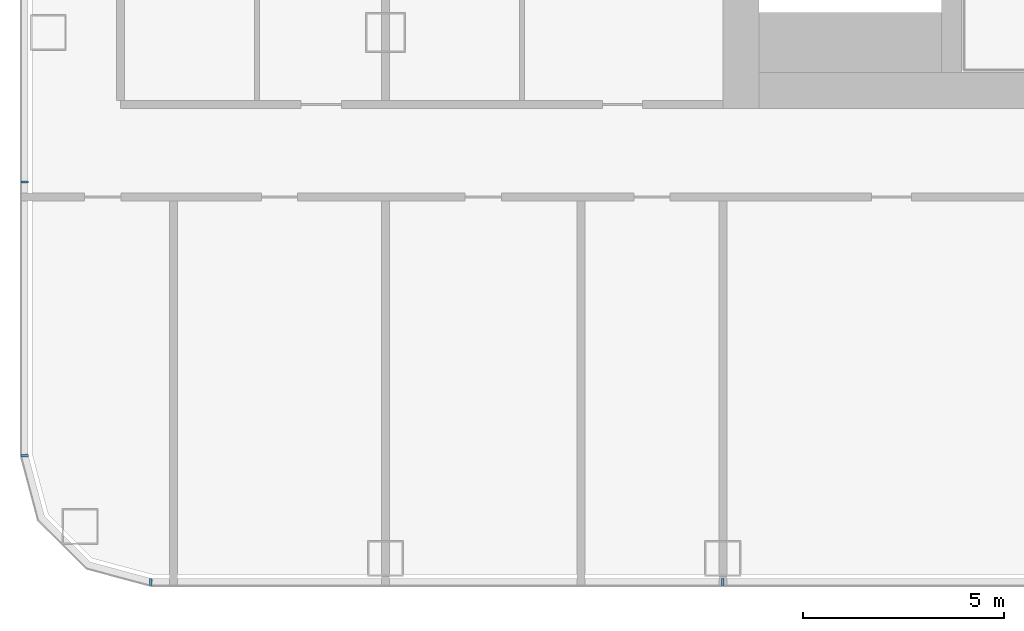
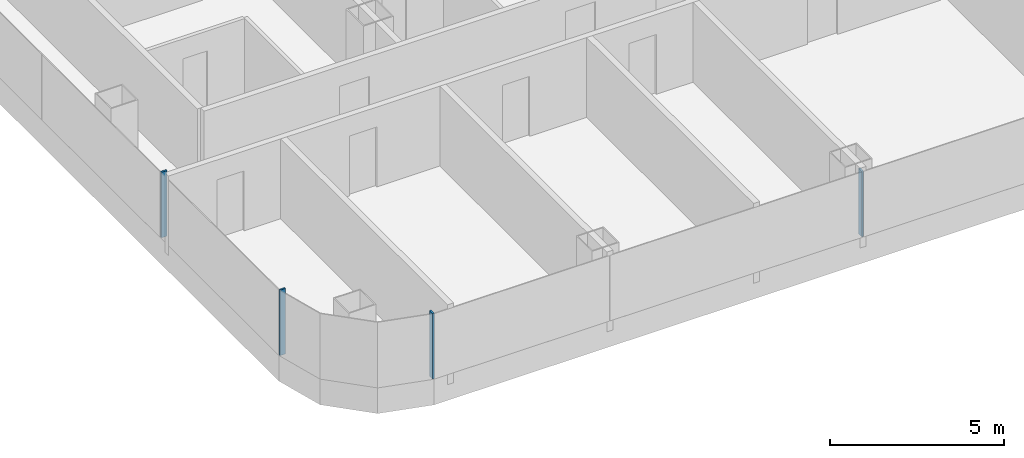
# One storey, part 2 of 28: 4 members, 2 elements without a shape of their own.
"""IFC4 building model written with IfcOpenShell, lengths in metres."""

import ifcopenshell
import ifcopenshell.guid

model = None  # the IFC model being written
_history = None  # IfcOwnerHistory: only IFC2X3 demands one
_inside = {}  # id of a spatial element -> (the spatial element, [elements in it])
_under = {}  # id of a project, library or spatial element -> (it, [spatial elements below it])
_declared = {}  # id of a project -> (the project, [libraries it declares])
_typed = {}  # id of a type object -> (the type object, [elements of that type])
_made_of = {}  # id of a material, layer set ... -> (it, [elements and type objects made of it])


def new_model(schema):
    """Start an empty IFC model of exactly this schema.

    Asked for "IFC4X3", IfcOpenShell would pick the latest addendum, in which some entities
    have other attributes; the version numbers below select the first issue.
    IFC2X3 requires an IfcOwnerHistory on every rooted entity: one is made here for all.
    """
    global model, _history
    if schema == "IFC4X3":
        model = ifcopenshell.file(schema_version=(4, 3, 0, 0))
    else:
        model = ifcopenshell.file(schema=schema)
    _inside.clear()
    _under.clear()
    _declared.clear()
    _typed.clear()
    _made_of.clear()
    _history = None
    if model.schema == "IFC2X3":
        org = make("IfcOrganization", Name="unknown")
        user = make(
            "IfcPersonAndOrganization",
            ThePerson=make("IfcPerson", FamilyName="unknown"),
            TheOrganization=org,
        )
        app = make(
            "IfcApplication",
            ApplicationDeveloper=org,
            Version="unknown",
            ApplicationFullName="unknown",
            ApplicationIdentifier="unknown",
        )
        _history = make(
            "IfcOwnerHistory",
            OwningUser=user,
            OwningApplication=app,
            ChangeAction="ADDED",
            CreationDate=0,
        )
    return model


def make(cls, **values):
    """One entity of the class cls with the attributes given. An attribute that is None is left unset."""
    return model.create_entity(
        cls, **{name: value for name, value in values.items() if value is not None}
    )


def rooted(cls, **values):
    """An entity with a GlobalId (a new one), such as an element, a storey or a relation."""
    return make(cls, GlobalId=ifcopenshell.guid.new(), OwnerHistory=_history, **values)


def si_unit(unit_type, name, prefix=None):
    """IfcSIUnit, for example si_unit("LENGTHUNIT", "METRE", prefix="MILLI")."""
    return make("IfcSIUnit", UnitType=unit_type, Prefix=prefix, Name=name)


def assignment(units):
    """IfcUnitAssignment: the units of a project."""
    return None if units is None else make("IfcUnitAssignment", Units=units)


def point(xyz):
    """IfcCartesianPoint."""
    return None if xyz is None else make("IfcCartesianPoint", Coordinates=xyz)


def direction(xyz):
    """IfcDirection."""
    return None if xyz is None else make("IfcDirection", DirectionRatios=xyz)


def frame(location, z_axis=None, x_axis=None):
    """IfcAxis2Placement3D, a coordinate frame: its origin and axes. An axis left out is left unset."""
    return make(
        "IfcAxis2Placement3D",
        Location=point(location),
        Axis=direction(z_axis),
        RefDirection=direction(x_axis),
    )


def frame_2d(location, x_axis=None):
    """IfcAxis2Placement2D, a coordinate frame in the plane: its origin and x axis."""
    return make(
        "IfcAxis2Placement2D", Location=point(location), RefDirection=direction(x_axis)
    )


def origin():
    """The frame at (0, 0, 0) with its axes left unset."""
    return frame((0.0, 0.0, 0.0))


def origin_2d():
    """The frame at (0, 0) in the plane with its x axis left unset."""
    return frame_2d((0.0, 0.0))


def place(relative_to, where):
    """IfcLocalPlacement: puts the frame where relative to a parent placement (None: the world)."""
    return make(
        "IfcLocalPlacement", PlacementRelTo=relative_to, RelativePlacement=where
    )


def context(
    kind, dimensions, precision=None, world=None, true_north=None, identifier=None
):
    """IfcGeometricRepresentationContext, for example the 3D "Model" context."""
    return make(
        "IfcGeometricRepresentationContext",
        ContextIdentifier=identifier,
        ContextType=kind,
        CoordinateSpaceDimension=dimensions,
        Precision=precision,
        WorldCoordinateSystem=world,
        TrueNorth=true_north,
    )


def subcontext(parent, identifier, kind, view, scale=None):
    """IfcGeometricRepresentationSubContext, for example "Body" below "Model"."""
    return make(
        "IfcGeometricRepresentationSubContext",
        ContextIdentifier=identifier,
        ContextType=kind,
        ParentContext=parent,
        TargetScale=scale,
        TargetView=view,
    )


def project(units=None, contexts=None):
    """IfcProject with its units and contexts."""
    return rooted(
        "IfcProject",
        Name="project",
        RepresentationContexts=contexts,
        UnitsInContext=assignment(units),
    )


def spatial(cls, under=None, at=None, **own):
    """A site, building, storey or space (cls), placed at a placement, below another one or the project."""
    s = rooted(cls, ObjectPlacement=at, **own)
    if under is not None:
        _under.setdefault(under.id(), (under, []))[1].append(s)
    return s


def profile(cls, at=None, kind="AREA", **sizes):
    """A parametric profile (cls). Its sizes go by their IFC names, for example OverallWidth=200.0."""
    return make(cls, ProfileType=kind, Position=at, **sizes)


def rectangle(**sizes):
    """IfcRectangleProfileDef."""
    return profile("IfcRectangleProfileDef", **sizes)


def extrude(swept, where, along, depth):
    """IfcExtrudedAreaSolid: the profile swept, set in the frame where, extruded along a direction by depth."""
    return make(
        "IfcExtrudedAreaSolid",
        SweptArea=swept,
        Position=where,
        ExtrudedDirection=direction(along),
        Depth=depth,
    )


def shape(context_of_items, identifier, shape_type, items):
    """IfcShapeRepresentation: the items that make up one representation, for example the "Body"."""
    return make(
        "IfcShapeRepresentation",
        ContextOfItems=context_of_items,
        RepresentationIdentifier=identifier,
        RepresentationType=shape_type,
        Items=items,
    )


def material(Name=None, Category=None):
    """IfcMaterial."""
    return make("IfcMaterial", Name=Name, Category=Category)


def layer(
    of_material, thickness, ventilated=None, Name=None, Category=None, Priority=None
):
    """IfcMaterialLayer: one layer of a wall or slab, of a material (None: an air gap)."""
    return make(
        "IfcMaterialLayer",
        Material=of_material,
        LayerThickness=thickness,
        IsVentilated=ventilated,
        Name=Name,
        Category=Category,
        Priority=Priority,
    )


def layer_set(layers, Name=None):
    """IfcMaterialLayerSet."""
    return make("IfcMaterialLayerSet", MaterialLayers=layers, LayerSetName=Name)


def material_profile(
    of_material, cross_section, Name=None, Category=None, Priority=None
):
    """IfcMaterialProfile: a cross section and its material."""
    return make(
        "IfcMaterialProfile",
        Name=Name,
        Material=of_material,
        Profile=cross_section,
        Priority=Priority,
        Category=Category,
    )


def profile_set(profiles, Name=None, composite=None):
    """IfcMaterialProfileSet."""
    return make(
        "IfcMaterialProfileSet",
        Name=Name,
        MaterialProfiles=profiles,
        CompositeProfile=composite,
    )


def made_of(thing, what):
    """Note that an element or type object is made of a material, layer set ...; save() writes the relation."""
    if what is not None:
        _made_of.setdefault(what.id(), (what, []))[1].append(thing)
    return thing


def type_object(cls, material=None, **own):
    """A type object (cls), such as IfcWallType, which elements share."""
    return made_of(rooted(cls, **own), material)


def element(
    cls,
    number,
    at=None,
    inside=None,
    cuts=None,
    type_object=None,
    material=None,
    context=None,
    identifier="Body",
    shape_type=None,
    held_by="IfcProductDefinitionShape",
    body=None,
    shapes=None,
    **own,
):
    """One element of the class cls, such as IfcWall. Its Tag is "e" and its number.

    at: its placement. inside: the storey or other place that contains it. cuts: it is an
    opening in that element (IfcRelVoidsElement). A single representation is given by context,
    identifier, shape_type and body (its items); several are given by shapes. held_by: the class
    of the entity that holds the representations. save() writes the other relations.
    """
    e = rooted(cls, Tag="e%d" % number, ObjectPlacement=at, **own)
    if body is not None:
        shapes = [shape(context, identifier, shape_type, body)]
    if shapes is not None:
        e.Representation = make(held_by, Representations=shapes)
    if inside is not None:
        _inside.setdefault(inside.id(), (inside, []))[1].append(e)
    if cuts is not None:
        rooted(
            "IfcRelVoidsElement", RelatingBuildingElement=cuts, RelatedOpeningElement=e
        )
    if type_object is not None:
        _typed.setdefault(type_object.id(), (type_object, []))[1].append(e)
    return made_of(e, material)


def aggregate(whole, parts):
    """IfcRelAggregates: a whole, such as a stair, and the parts it consists of."""
    return rooted("IfcRelAggregates", RelatingObject=whole, RelatedObjects=parts)


def save(model, path):
    """Write the relations noted so far, then the file.

    IfcRelAggregates (storeys below a building ...), IfcRelContainedInSpatialStructure (elements
    in a storey), IfcRelDefinesByType, IfcRelAssociatesMaterial and IfcRelDeclares: one each for
    every whole, place, type object, material and project.
    """
    for whole, parts in _under.values():
        aggregate(whole, parts)
    for where, things in _inside.values():
        rooted(
            "IfcRelContainedInSpatialStructure",
            RelatedElements=things,
            RelatingStructure=where,
        )
    for kind, things in _typed.values():
        rooted("IfcRelDefinesByType", RelatedObjects=things, RelatingType=kind)
    for what, things in _made_of.values():
        rooted("IfcRelAssociatesMaterial", RelatedObjects=things, RelatingMaterial=what)
    for by, libraries in _declared.values():
        rooted("IfcRelDeclares", RelatingContext=by, RelatedDefinitions=libraries)
    model.write(path)


model = new_model("IFC4")

# Units and contexts
model_context = context("Model", 3, precision=1e-05, world=origin(), true_north=direction((0.0, 1.0)))
body_context = subcontext(model_context, "Body", "Model", "MODEL_VIEW")
ifc_project = project(units=[si_unit("LENGTHUNIT", "METRE"), si_unit("AREAUNIT", "SQUARE_METRE"), si_unit("VOLUMEUNIT", "CUBIC_METRE"), si_unit("PLANEANGLEUNIT", "RADIAN"), si_unit("MASSUNIT", "GRAM", prefix="KILO")], contexts=[model_context])

# Site, building, storey
site_placement = place(None, origin())
site = spatial("IfcSite", under=ifc_project, at=site_placement, CompositionType="ELEMENT")
building_placement = place(site_placement, origin())
building = spatial("IfcBuilding", under=site, at=building_placement, Name="Hakoniwa Tower and Hamabe Station Hall", CompositionType="ELEMENT")
storey_placement = place(building_placement, frame((0.0, 0.0, 32.60009765625)))
storey = spatial("IfcBuildingStorey", under=building, at=storey_placement, Name="L08", CompositionType="ELEMENT", Elevation=32.60009765625)

# Curtain wall, members
ifc_material_1 = material(Name="Dark low-e laminated glass", Category="glass")
ifc_layer = layer(ifc_material_1, 0.199951171875)
ifc_layer_set = layer_set([ifc_layer], Name="CW-1 UNITISED GUEST")
curtain_wall_type = type_object("IfcCurtainWallType", Name="CW-1 UNITISED GUEST", PredefinedType="NOTDEFINED", material=ifc_layer_set)
curtain_wall_1_placement = place(storey_placement, origin())
curtain_wall_1 = element("IfcCurtainWall", 1, at=curtain_wall_1_placement, inside=storey, type_object=curtain_wall_type, Name="CW-1 curtain wall", PredefinedType="NOTDEFINED")
ifc_material_2 = material(Name="Aluminium 6063-T5 black anodised", Category="aluminium")
ifc_material_profile = material_profile(ifc_material_2, rectangle(XDim=0.06005859375, YDim=0.179931640625, at=origin_2d()), Name="CW-1 MULLION 60X180")
ifc_profile_set = profile_set([ifc_material_profile], Name="Aluminium 6063-T5 black anodised")
member_type = type_object("IfcMemberType", Name="CW-1 MULLION 60X180", PredefinedType="MULLION", material=ifc_profile_set)
member_1_placement = place(storey_placement, frame((-50.98193359375, -10.2236328125, 0.349853515625), z_axis=(0.0, 0.0, 1.0), x_axis=(0.0, -1.0, 0.0)))
member_1 = element("IfcMember", 2, at=member_1_placement, type_object=member_type, Name="CW-1 mullion", PredefinedType="MULLION", context=body_context, shape_type="SweptSolid", body=[
    extrude(rectangle(XDim=0.06005859375, YDim=0.179931640625, at=origin_2d()), origin(), (0.0, 0.0, 1.0), 2.300048828125),
])
member_2_placement = place(storey_placement, frame((-50.98193359375, -17.03955078125, 0.349853515625), z_axis=(0.0, 0.0, 1.0), x_axis=(0.0, -1.0, 0.0)))
member_2 = element("IfcMember", 3, at=member_2_placement, type_object=member_type, Name="CW-1 mullion", PredefinedType="MULLION", context=body_context, shape_type="SweptSolid", body=[
    extrude(rectangle(XDim=0.06005859375, YDim=0.179931640625, at=origin_2d()), origin(), (0.0, 0.0, 1.0), 2.300048828125),
])
aggregate(curtain_wall_1, [member_1, member_2])

curtain_wall_2_placement = place(storey_placement, origin())
curtain_wall_2 = element("IfcCurtainWall", 4, at=curtain_wall_2_placement, inside=storey, type_object=curtain_wall_type, Name="CW-1 curtain wall", PredefinedType="NOTDEFINED")
member_3_placement = place(storey_placement, frame((-47.839599609375, -20.181884765625, 0.349853515625), z_axis=(0.0, 0.0, 1.0), x_axis=(1.0, 0.0, 0.0)))
member_3 = element("IfcMember", 5, at=member_3_placement, type_object=member_type, Name="CW-1 mullion", PredefinedType="MULLION", context=body_context, shape_type="SweptSolid", body=[
    extrude(rectangle(XDim=0.06005859375, YDim=0.179931640625, at=origin_2d()), origin(), (0.0, 0.0, 1.0), 2.300048828125),
])
member_4_placement = place(storey_placement, frame((-33.60009765625, -20.181884765625, 0.349853515625), z_axis=(0.0, 0.0, 1.0), x_axis=(1.0, 0.0, 0.0)))
member_4 = element("IfcMember", 6, at=member_4_placement, type_object=member_type, Name="CW-1 mullion", PredefinedType="MULLION", context=body_context, shape_type="SweptSolid", body=[
    extrude(rectangle(XDim=0.06005859375, YDim=0.179931640625, at=origin_2d()), origin(), (0.0, 0.0, 1.0), 2.300048828125),
])
aggregate(curtain_wall_2, [member_3, member_4])

save(model, "model.ifc")
